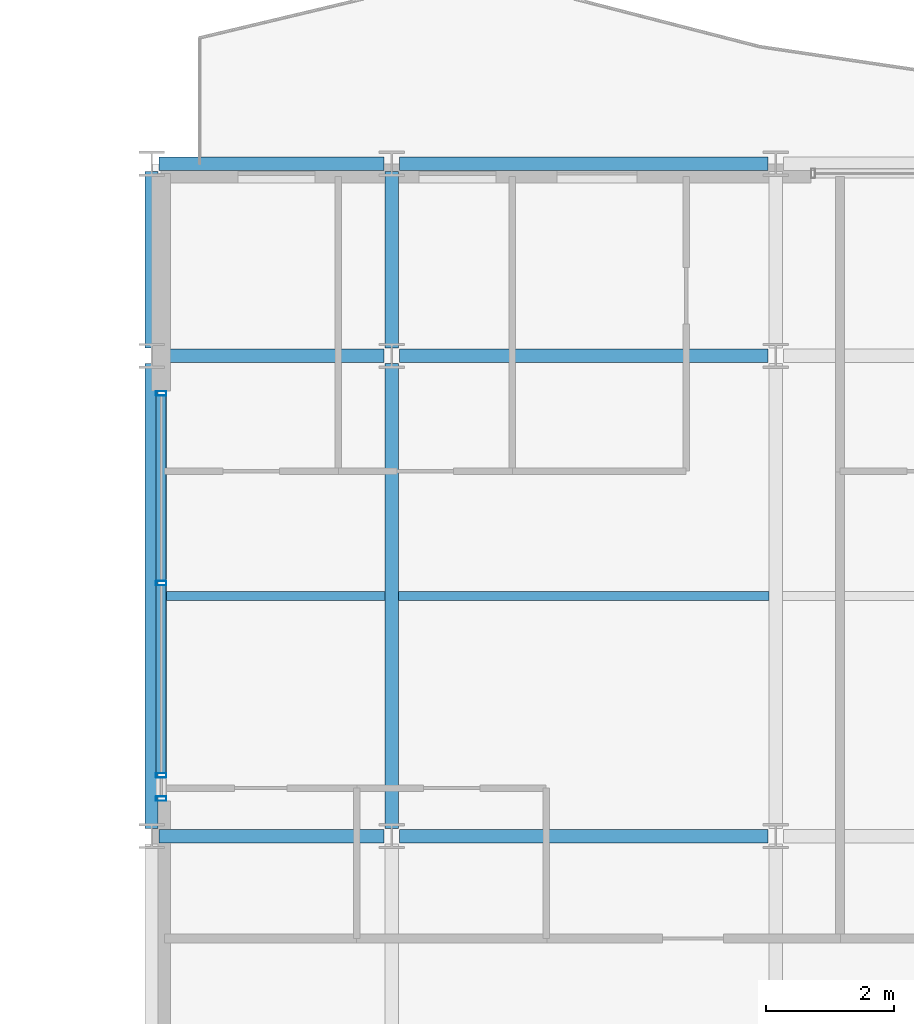
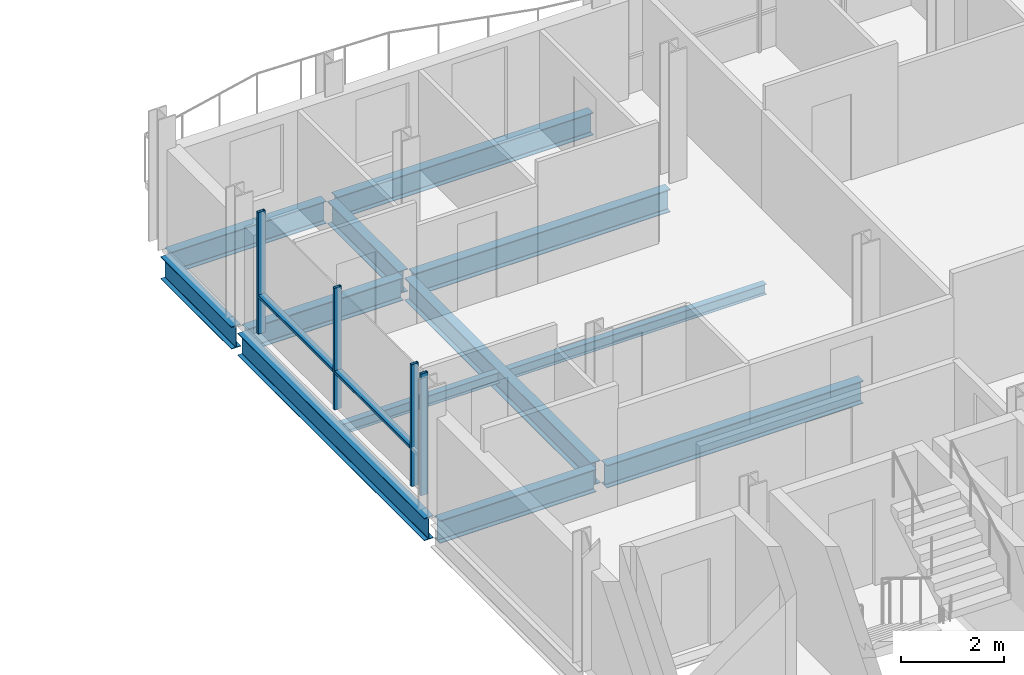
# One storey, part 11 of 27: 12 beams, 6 members, 1 element without a shape of its own.
"""IFC4 building model written with IfcOpenShell, lengths in metres."""

from ifc_helpers import new_model, si_unit, direction, frame, origin, origin_2d, place, context, subcontext, project, spatial, hollow_rectangle, i_section, extrude, material, layer, layer_set, material_profile, profile_set, type_object, element, aggregate, save


model = new_model("IFC4")

# Units and contexts
model_context = context("Model", 3, precision=1e-05, world=origin(), true_north=direction((0.0, 1.0)))
body_context = subcontext(model_context, "Body", "Model", "MODEL_VIEW")
ifc_project = project(units=[si_unit("LENGTHUNIT", "METRE"), si_unit("AREAUNIT", "SQUARE_METRE"), si_unit("VOLUMEUNIT", "CUBIC_METRE"), si_unit("PLANEANGLEUNIT", "RADIAN"), si_unit("MASSUNIT", "GRAM", prefix="KILO")], contexts=[model_context])

# Site, building, storey
site_placement = place(None, origin())
site = spatial("IfcSite", under=ifc_project, at=site_placement, CompositionType="ELEMENT")
building_placement = place(site_placement, origin())
building = spatial("IfcBuilding", under=site, at=building_placement, Name="Brevholm Reach", CompositionType="ELEMENT")
storey_placement = place(building_placement, frame((0.0, 0.0, 195.60009765625)))
storey = spatial("IfcBuildingStorey", under=building, at=storey_placement, Name="L59", CompositionType="ELEMENT", Elevation=195.60009765625)

# Beams
ifc_material_1 = material(Name="Structural Steel S355J2", Category="steel")
ifc_material_profile_1 = material_profile(ifc_material_1, i_section(OverallWidth=0.14599609375, OverallDepth=0.25146484375, WebThickness=0.006103515625, FlangeThickness=0.008544921875, FilletRadius=0.007568359375, at=origin_2d()), Name="UKB 254x146x31")
ifc_profile_set_1 = profile_set([ifc_material_profile_1], Name="Structural Steel S355J2")
beam_type_1 = type_object("IfcBeamType", Name="BM-B254", PredefinedType="BEAM", material=ifc_profile_set_1)
beam_1_placement = place(storey_placement, frame((38.354736328125, 19.75, -0.335693359375), z_axis=(1.0, 0.0, 0.0), x_axis=(0.0, 1.0, 0.0)))
element("IfcBeam", 1, at=beam_1_placement, inside=storey, type_object=beam_type_1, Name="L59 Composite Secondary Floor Beam", PredefinedType="BEAM", context=body_context, shape_type="SweptSolid", body=[
    extrude(i_section(OverallWidth=0.14599609375, OverallDepth=0.25146484375, WebThickness=0.006103515625, FlangeThickness=0.008544921875, FilletRadius=0.007568359375, at=origin_2d()), origin(), (0.0, 0.0, 1.0), 3.539794921875),
])
beam_2_placement = place(storey_placement, frame((42.10546875, 19.75, -0.335693359375), z_axis=(1.0, 0.0, 0.0), x_axis=(0.0, 1.0, 0.0)))
element("IfcBeam", 2, at=beam_2_placement, inside=storey, type_object=beam_type_1, Name="L59 Composite Secondary Floor Beam", PredefinedType="BEAM", context=body_context, shape_type="SweptSolid", body=[
    extrude(i_section(OverallWidth=0.14599609375, OverallDepth=0.25146484375, WebThickness=0.006103515625, FlangeThickness=0.008544921875, FilletRadius=0.007568359375, at=origin_2d()), origin(), (0.0, 0.0, 1.0), 5.7890625),
])
ifc_material_2 = material(Name="Structural Steel S355J2", Category="steel")
ifc_material_profile_2 = material_profile(ifc_material_2, i_section(OverallWidth=0.209228515625, OverallDepth=0.533203125, WebThickness=0.010009765625, FlangeThickness=0.015625, FilletRadius=0.0126953125, at=origin_2d()), Name="UKB 533x210x92")
ifc_profile_set_2 = profile_set([ifc_material_profile_2], Name="Structural Steel S355J2")
beam_type_2 = type_object("IfcBeamType", Name="BM-SP533", PredefinedType="SPANDREL", material=ifc_profile_set_2)
beam_3_placement = place(storey_placement, frame((38.3701171875, 26.5, -0.4765625), z_axis=(1.0, 0.0, 0.0), x_axis=(0.0, 1.0, 0.0)))
element("IfcBeam", 3, at=beam_3_placement, inside=storey, type_object=beam_type_2, Name="L59 SP-02 Framing Beam", PredefinedType="SPANDREL", context=body_context, shape_type="SweptSolid", body=[
    extrude(i_section(OverallWidth=0.209228515625, OverallDepth=0.533203125, WebThickness=0.010009765625, FlangeThickness=0.015625, FilletRadius=0.0126953125, at=origin_2d()), origin(), (0.0, 0.0, 1.0), 3.509765625),
])
beam_4_placement = place(storey_placement, frame((42.1201171875, 26.5, -0.4765625), z_axis=(1.0, 0.0, 0.0), x_axis=(0.0, 1.0, 0.0)))
element("IfcBeam", 4, at=beam_4_placement, inside=storey, type_object=beam_type_2, Name="L59 SP-02 Framing Beam", PredefinedType="SPANDREL", context=body_context, shape_type="SweptSolid", body=[
    extrude(i_section(OverallWidth=0.209228515625, OverallDepth=0.533203125, WebThickness=0.010009765625, FlangeThickness=0.015625, FilletRadius=0.0126953125, at=origin_2d()), origin(), (0.0, 0.0, 1.0), 5.759765625),
])
beam_5_placement = place(storey_placement, frame((38.25, 16.1201171875, -0.4765625), z_axis=(0.0, 1.0, 0.0), x_axis=(-1.0, 0.0, 0.0)))
element("IfcBeam", 5, at=beam_5_placement, inside=storey, type_object=beam_type_2, Name="L59 SP-02 Framing Beam", PredefinedType="SPANDREL", context=body_context, shape_type="SweptSolid", body=[
    extrude(i_section(OverallWidth=0.209228515625, OverallDepth=0.533203125, WebThickness=0.010009765625, FlangeThickness=0.015625, FilletRadius=0.0126953125, at=origin_2d()), origin(), (0.0, 0.0, 1.0), 7.259765625),
])
beam_6_placement = place(storey_placement, frame((38.25, 23.6201171875, -0.4765625), z_axis=(0.0, 1.0, 0.0), x_axis=(-1.0, 0.0, 0.0)))
element("IfcBeam", 6, at=beam_6_placement, inside=storey, type_object=beam_type_2, Name="L59 SP-02 Framing Beam", PredefinedType="SPANDREL", context=body_context, shape_type="SweptSolid", body=[
    extrude(i_section(OverallWidth=0.209228515625, OverallDepth=0.533203125, WebThickness=0.010009765625, FlangeThickness=0.015625, FilletRadius=0.0126953125, at=origin_2d()), origin(), (0.0, 0.0, 1.0), 2.759765625),
])
ifc_material_3 = material(Name="Structural Steel S355J2", Category="steel")
ifc_material_profile_3 = material_profile(ifc_material_3, i_section(OverallWidth=0.210693359375, OverallDepth=0.53955078125, WebThickness=0.01171875, FlangeThickness=0.018798828125, FilletRadius=0.0126953125, at=origin_2d()), Name="UKB 533x210x109")
ifc_profile_set_3 = profile_set([ifc_material_profile_3], Name="Structural Steel S355J2")
beam_type_3 = type_object("IfcBeamType", Name="BM-SP539", PredefinedType="SPANDREL", material=ifc_profile_set_3)
beam_7_placement = place(storey_placement, frame((38.3701171875, 16.0, -0.479736328125), z_axis=(1.0, 0.0, 0.0), x_axis=(0.0, 1.0, 0.0)))
element("IfcBeam", 7, at=beam_7_placement, inside=storey, type_object=beam_type_3, Name="L59 SP-01B Framing Beam", PredefinedType="SPANDREL", context=body_context, shape_type="SweptSolid", body=[
    extrude(i_section(OverallWidth=0.210693359375, OverallDepth=0.53955078125, WebThickness=0.01171875, FlangeThickness=0.018798828125, FilletRadius=0.0126953125, at=origin_2d()), origin(), (0.0, 0.0, 1.0), 3.509765625),
])
beam_8_placement = place(storey_placement, frame((42.1201171875, 16.0, -0.479736328125), z_axis=(1.0, 0.0, 0.0), x_axis=(0.0, 1.0, 0.0)))
element("IfcBeam", 8, at=beam_8_placement, inside=storey, type_object=beam_type_3, Name="L59 SP-01B Framing Beam", PredefinedType="SPANDREL", context=body_context, shape_type="SweptSolid", body=[
    extrude(i_section(OverallWidth=0.210693359375, OverallDepth=0.53955078125, WebThickness=0.01171875, FlangeThickness=0.018798828125, FilletRadius=0.0126953125, at=origin_2d()), origin(), (0.0, 0.0, 1.0), 5.759765625),
])
beam_9_placement = place(storey_placement, frame((38.3701171875, 23.5, -0.479736328125), z_axis=(1.0, 0.0, 0.0), x_axis=(0.0, 1.0, 0.0)))
element("IfcBeam", 9, at=beam_9_placement, inside=storey, type_object=beam_type_3, Name="L59 SP-01B Framing Beam", PredefinedType="SPANDREL", context=body_context, shape_type="SweptSolid", body=[
    extrude(i_section(OverallWidth=0.210693359375, OverallDepth=0.53955078125, WebThickness=0.01171875, FlangeThickness=0.018798828125, FilletRadius=0.0126953125, at=origin_2d()), origin(), (0.0, 0.0, 1.0), 3.509765625),
])
beam_10_placement = place(storey_placement, frame((42.1201171875, 23.5, -0.479736328125), z_axis=(1.0, 0.0, 0.0), x_axis=(0.0, 1.0, 0.0)))
element("IfcBeam", 10, at=beam_10_placement, inside=storey, type_object=beam_type_3, Name="L59 SP-01B Framing Beam", PredefinedType="SPANDREL", context=body_context, shape_type="SweptSolid", body=[
    extrude(i_section(OverallWidth=0.210693359375, OverallDepth=0.53955078125, WebThickness=0.01171875, FlangeThickness=0.018798828125, FilletRadius=0.0126953125, at=origin_2d()), origin(), (0.0, 0.0, 1.0), 5.759765625),
])
beam_11_placement = place(storey_placement, frame((42.0, 16.1201171875, -0.479736328125), z_axis=(0.0, 1.0, 0.0), x_axis=(-1.0, 0.0, 0.0)))
element("IfcBeam", 11, at=beam_11_placement, inside=storey, type_object=beam_type_3, Name="L59 SP-01B Framing Beam", PredefinedType="SPANDREL", context=body_context, shape_type="SweptSolid", body=[
    extrude(i_section(OverallWidth=0.210693359375, OverallDepth=0.53955078125, WebThickness=0.01171875, FlangeThickness=0.018798828125, FilletRadius=0.0126953125, at=origin_2d()), origin(), (0.0, 0.0, 1.0), 7.259765625),
])
beam_12_placement = place(storey_placement, frame((42.0, 23.6201171875, -0.479736328125), z_axis=(0.0, 1.0, 0.0), x_axis=(-1.0, 0.0, 0.0)))
element("IfcBeam", 12, at=beam_12_placement, inside=storey, type_object=beam_type_3, Name="L59 SP-01B Framing Beam", PredefinedType="SPANDREL", context=body_context, shape_type="SweptSolid", body=[
    extrude(i_section(OverallWidth=0.210693359375, OverallDepth=0.53955078125, WebThickness=0.01171875, FlangeThickness=0.018798828125, FilletRadius=0.0126953125, at=origin_2d()), origin(), (0.0, 0.0, 1.0), 2.759765625),
])

# Curtain wall, members
ifc_material_4 = material(Name="Dark Anodised Aluminium 6063-T6 and Solar-Control Glass", Category="aluminium")
ifc_layer = layer(ifc_material_4, 0.1650390625)
ifc_layer_set = layer_set([ifc_layer], Name="Dark Anodised Aluminium 6063-T6 and Solar-Control Glass")
curtain_wall_type = type_object("IfcCurtainWallType", Name="CW-04", PredefinedType="NOTDEFINED", material=ifc_layer_set)
curtain_wall_placement = place(storey_placement, origin())
curtain_wall = element("IfcCurtainWall", 13, at=curtain_wall_placement, inside=storey, type_object=curtain_wall_type, Name="L59 Curtain Wall CW-04", PredefinedType="NOTDEFINED")
ifc_material_5 = material(Name="Dark Anodised Aluminium 6063-T6", Category="aluminium")
ifc_material_profile_4 = material_profile(ifc_material_5, hollow_rectangle(XDim=0.070068359375, YDim=0.1650390625, WallThickness=0.0048828125, InnerFilletRadius=0.0048828125, OuterFilletRadius=0.010009765625, at=origin_2d()), Name="RHS 165x70x5")
ifc_profile_set_4 = profile_set([ifc_material_profile_4], Name="Dark Anodised Aluminium 6063-T6")
member_type_1 = type_object("IfcMemberType", Name="CWM-165", PredefinedType="MULLION", material=ifc_profile_set_4)
member_1_placement = place(storey_placement, frame((38.39990234375, 22.9150390625, 0.0), z_axis=(0.0, 0.0, 1.0), x_axis=(0.0, -1.0, 0.0)))
member_1 = element("IfcMember", 14, at=member_1_placement, type_object=member_type_1, Name="CM-165 Mullion 1", PredefinedType="MULLION", context=body_context, shape_type="SweptSolid", body=[
    extrude(hollow_rectangle(XDim=0.070068359375, YDim=0.1650390625, WallThickness=0.0048828125, InnerFilletRadius=0.0048828125, OuterFilletRadius=0.010009765625, at=origin_2d()), origin(), (0.0, 0.0, 1.0), 2.889892578125),
])
member_2_placement = place(storey_placement, frame((38.39990234375, 19.949951171875, 0.0), z_axis=(0.0, 0.0, 1.0), x_axis=(0.0, -1.0, 0.0)))
member_2 = element("IfcMember", 15, at=member_2_placement, type_object=member_type_1, Name="CM-165 Mullion 2", PredefinedType="MULLION", context=body_context, shape_type="SweptSolid", body=[
    extrude(hollow_rectangle(XDim=0.070068359375, YDim=0.1650390625, WallThickness=0.0048828125, InnerFilletRadius=0.0048828125, OuterFilletRadius=0.010009765625, at=origin_2d()), origin(), (0.0, 0.0, 1.0), 2.889892578125),
])
member_3_placement = place(storey_placement, frame((38.39990234375, 16.949951171875, 0.0), z_axis=(0.0, 0.0, 1.0), x_axis=(0.0, -1.0, 0.0)))
member_3 = element("IfcMember", 16, at=member_3_placement, type_object=member_type_1, Name="CM-165 Mullion 3", PredefinedType="MULLION", context=body_context, shape_type="SweptSolid", body=[
    extrude(hollow_rectangle(XDim=0.070068359375, YDim=0.1650390625, WallThickness=0.0048828125, InnerFilletRadius=0.0048828125, OuterFilletRadius=0.010009765625, at=origin_2d()), origin(), (0.0, 0.0, 1.0), 2.889892578125),
])
member_4_placement = place(storey_placement, frame((38.39990234375, 16.5849609375, 0.0), z_axis=(0.0, 0.0, 1.0), x_axis=(0.0, -1.0, 0.0)))
member_4 = element("IfcMember", 17, at=member_4_placement, type_object=member_type_1, Name="CM-165 Mullion 4", PredefinedType="MULLION", context=body_context, shape_type="SweptSolid", body=[
    extrude(hollow_rectangle(XDim=0.070068359375, YDim=0.1650390625, WallThickness=0.0048828125, InnerFilletRadius=0.0048828125, OuterFilletRadius=0.010009765625, at=origin_2d()), origin(), (0.0, 0.0, 1.0), 2.889892578125),
])
ifc_material_6 = material(Name="Dark Anodised Aluminium 6063-T6", Category="aluminium")
ifc_material_profile_5 = material_profile(ifc_material_6, hollow_rectangle(XDim=0.070068359375, YDim=0.1650390625, WallThickness=0.0048828125, InnerFilletRadius=0.0048828125, OuterFilletRadius=0.010009765625, at=origin_2d()), Name="RHS 165x70x5")
ifc_profile_set_5 = profile_set([ifc_material_profile_5], Name="Dark Anodised Aluminium 6063-T6")
member_type_2 = type_object("IfcMemberType", Name="CWT-165", PredefinedType="NOTDEFINED", material=ifc_profile_set_5)
member_5_placement = place(storey_placement, frame((38.39990234375, 22.8798828125, 0.89990234375), z_axis=(0.0, -1.0, 0.0), x_axis=(0.0, 0.0, 1.0)))
member_5 = element("IfcMember", 18, at=member_5_placement, type_object=member_type_2, Name="CT-165 Transom 1.1", ObjectType="TRANSOM", PredefinedType="USERDEFINED", context=body_context, shape_type="SweptSolid", body=[
    extrude(hollow_rectangle(XDim=0.070068359375, YDim=0.1650390625, WallThickness=0.0048828125, InnerFilletRadius=0.0048828125, OuterFilletRadius=0.010009765625, at=origin_2d()), origin(), (0.0, 0.0, 1.0), 2.894775390625),
])
member_6_placement = place(storey_placement, frame((38.39990234375, 19.9150390625, 0.89990234375), z_axis=(0.0, -1.0, 0.0), x_axis=(0.0, 0.0, 1.0)))
member_6 = element("IfcMember", 19, at=member_6_placement, type_object=member_type_2, Name="CT-165 Transom 2.1", ObjectType="TRANSOM", PredefinedType="USERDEFINED", context=body_context, shape_type="SweptSolid", body=[
    extrude(hollow_rectangle(XDim=0.070068359375, YDim=0.1650390625, WallThickness=0.0048828125, InnerFilletRadius=0.0048828125, OuterFilletRadius=0.010009765625, at=origin_2d()), origin(), (0.0, 0.0, 1.0), 2.929931640625),
])
aggregate(curtain_wall, [member_1, member_2, member_3, member_4, member_5, member_6])

save(model, "model.ifc")
